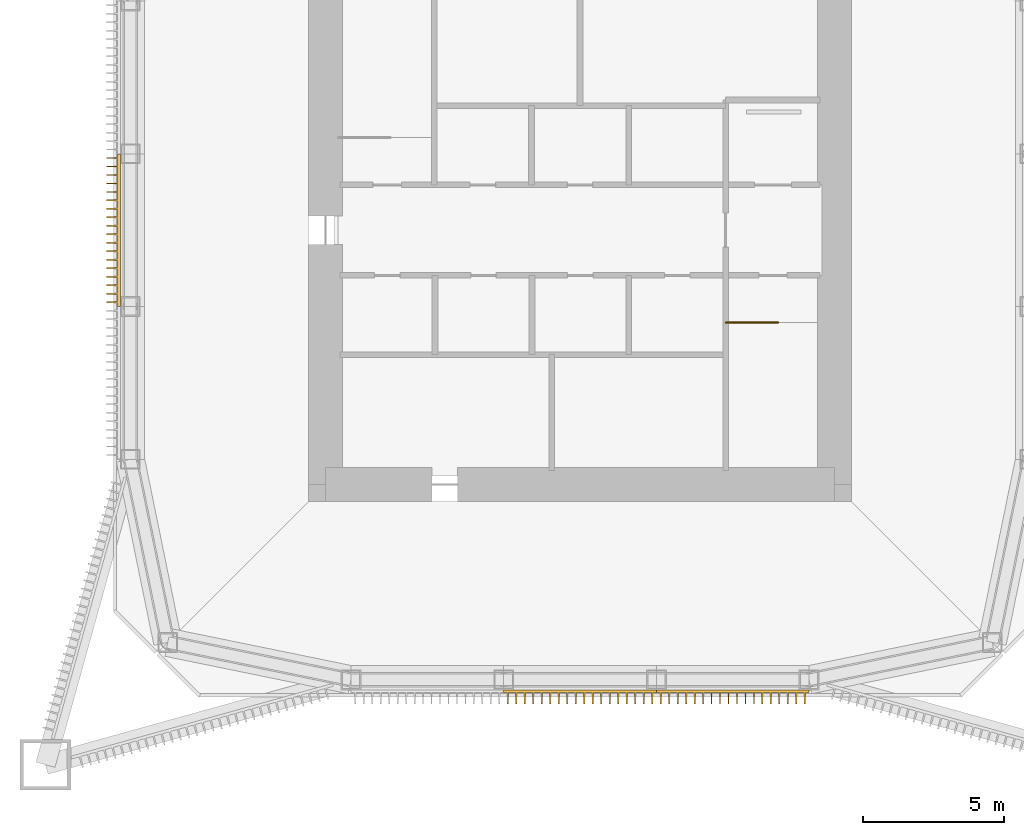
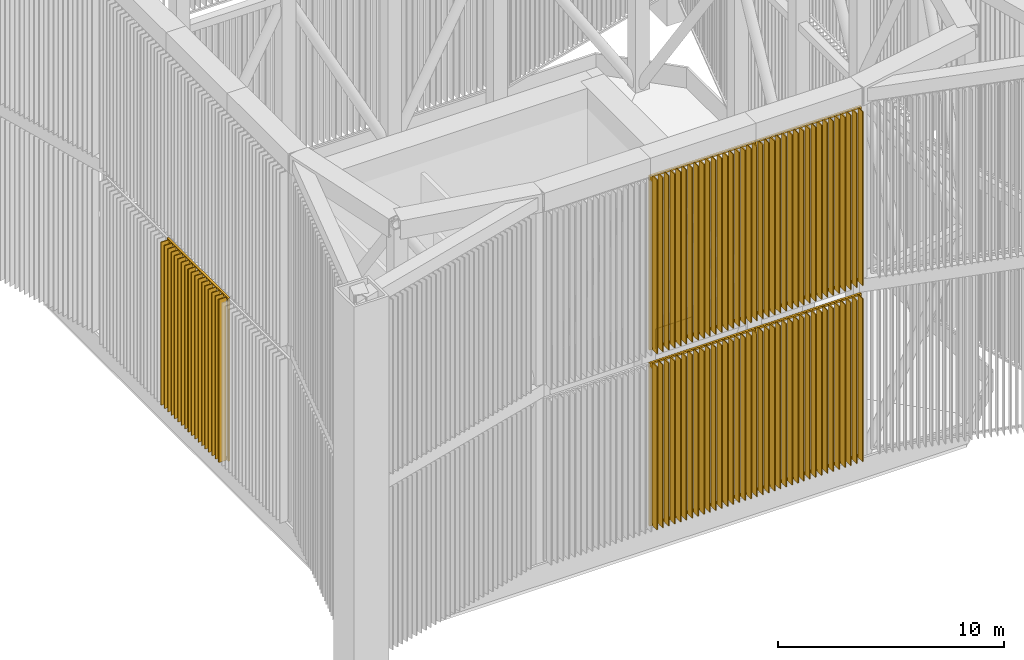
# One storey, part 6 of 13: 5 shading devices, 1 railing.
"""IFC4 building model written with IfcOpenShell, lengths in metres."""

from ifc_helpers import new_model, si_unit, direction, frame, origin, origin_2d, place, context, subcontext, project, spatial, rectangle, circle, extrude, material, layer, layer_set, constituent, constituent_set, type_object, element, save


model = new_model("IFC4")

# Units and contexts
model_context = context("Model", 3, precision=1e-05, world=origin(), true_north=direction((0.0, 1.0)))
body_context = subcontext(model_context, "Body", "Model", "MODEL_VIEW")
ifc_project = project(units=[si_unit("LENGTHUNIT", "METRE"), si_unit("AREAUNIT", "SQUARE_METRE"), si_unit("VOLUMEUNIT", "CUBIC_METRE"), si_unit("PLANEANGLEUNIT", "RADIAN"), si_unit("MASSUNIT", "GRAM", prefix="KILO")], contexts=[model_context])

# Site, building, storey
site_placement = place(None, origin())
site = spatial("IfcSite", under=ifc_project, at=site_placement, CompositionType="ELEMENT")
building_placement = place(site_placement, origin())
building = spatial("IfcBuilding", under=site, at=building_placement, Name="Iwan Alto Co-Living Towers", CompositionType="ELEMENT")
storey_placement = place(building_placement, frame((0.0, 0.0, 267.5)))
storey = spatial("IfcBuildingStorey", under=building, at=storey_placement, Name="RF", CompositionType="ELEMENT", Elevation=267.5)

# Shading devices
ifc_material_1 = material(Name="Aluminium 6063-T6 bronze anodised", Category="aluminium")
ifc_layer_1 = layer(ifc_material_1, 0.39990234375, Name="Fins", Category="Finish")
ifc_material_2 = material(Name="Steel ASTM A36 galvanised frame", Category="steel")
ifc_layer_2 = layer(ifc_material_2, 0.10009765625, Name="Panel frame", Category="Framing")
ifc_layer_set = layer_set([ifc_layer_1, ifc_layer_2], Name="CROWN FIN SCREEN PANEL")
shading_device_type = type_object("IfcShadingDeviceType", Name="CROWN FIN SCREEN PANEL", PredefinedType="USERDEFINED", material=ifc_layer_set)
shading_device_1_placement = place(storey_placement, frame((0.0, 0.0, -267.5)))
element("IfcShadingDevice", 1, at=shading_device_1_placement, inside=storey, type_object=shading_device_type, Name="T1 crown fin screen S-02 lower", ObjectType="LOUVER", PredefinedType="USERDEFINED", context=body_context, shape_type="SweptSolid", body=[
    extrude(rectangle(XDim=5.39990234375, YDim=0.10009765625, at=origin_2d()), frame((0.0, -16.300048828125, 268.599853515625), z_axis=(0.0, 0.0, 1.0), x_axis=(1.0, 0.0, 0.0)), (0.0, 0.0, 1.0), 0.10009765625),
    extrude(rectangle(XDim=5.39990234375, YDim=0.10009765625, at=origin_2d()), frame((0.0, -16.300048828125, 277.300048828125), z_axis=(0.0, 0.0, 1.0), x_axis=(1.0, 0.0, 0.0)), (0.0, 0.0, 1.0), 0.10009765625),
    extrude(rectangle(XDim=0.10009765625, YDim=0.10009765625, at=origin_2d()), frame((-2.64990234375, -16.300048828125, 268.69482421875), z_axis=(0.0, 0.0, 1.0), x_axis=(1.0, 0.0, 0.0)), (0.0, 0.0, 1.0), 8.610107421875),
    extrude(rectangle(XDim=0.10009765625, YDim=0.10009765625, at=origin_2d()), frame((2.64990234375, -16.300048828125, 268.69482421875), z_axis=(0.0, 0.0, 1.0), x_axis=(1.0, 0.0, 0.0)), (0.0, 0.0, 1.0), 8.610107421875),
    extrude(rectangle(XDim=0.050048828125, YDim=0.405029296875, at=origin_2d()), frame((-2.550048828125, -16.547607421875, 268.60009765625), z_axis=(0.0, 0.0, 1.0), x_axis=(1.0, 0.0, 0.0)), (0.0, 0.0, 1.0), 8.800048828125),
    extrude(rectangle(XDim=0.050048828125, YDim=0.405029296875, at=origin_2d()), frame((-2.25, -16.547607421875, 268.60009765625), z_axis=(0.0, 0.0, 1.0), x_axis=(1.0, 0.0, 0.0)), (0.0, 0.0, 1.0), 8.800048828125),
    extrude(rectangle(XDim=0.050048828125, YDim=0.405029296875, at=origin_2d()), frame((-1.949951171875, -16.547607421875, 268.60009765625), z_axis=(0.0, 0.0, 1.0), x_axis=(1.0, 0.0, 0.0)), (0.0, 0.0, 1.0), 8.800048828125),
    extrude(rectangle(XDim=0.050048828125, YDim=0.405029296875, at=origin_2d()), frame((-1.64990234375, -16.547607421875, 268.60009765625), z_axis=(0.0, 0.0, 1.0), x_axis=(1.0, 0.0, 0.0)), (0.0, 0.0, 1.0), 8.800048828125),
    extrude(rectangle(XDim=0.050048828125, YDim=0.405029296875, at=origin_2d()), frame((-1.35009765625, -16.547607421875, 268.60009765625), z_axis=(0.0, 0.0, 1.0), x_axis=(1.0, 0.0, 0.0)), (0.0, 0.0, 1.0), 8.800048828125),
    extrude(rectangle(XDim=0.050048828125, YDim=0.405029296875, at=origin_2d()), frame((-1.050048828125, -16.547607421875, 268.60009765625), z_axis=(0.0, 0.0, 1.0), x_axis=(1.0, 0.0, 0.0)), (0.0, 0.0, 1.0), 8.800048828125),
    extrude(rectangle(XDim=0.050048828125, YDim=0.405029296875, at=origin_2d()), frame((-0.75, -16.547607421875, 268.60009765625), z_axis=(0.0, 0.0, 1.0), x_axis=(1.0, 0.0, 0.0)), (0.0, 0.0, 1.0), 8.800048828125),
    extrude(rectangle(XDim=0.050048828125, YDim=0.405029296875, at=origin_2d()), frame((-0.449951171875, -16.547607421875, 268.60009765625), z_axis=(0.0, 0.0, 1.0), x_axis=(1.0, 0.0, 0.0)), (0.0, 0.0, 1.0), 8.800048828125),
    extrude(rectangle(XDim=0.050048828125, YDim=0.405029296875, at=origin_2d()), frame((-0.14990234375, -16.547607421875, 268.60009765625), z_axis=(0.0, 0.0, 1.0), x_axis=(1.0, 0.0, 0.0)), (0.0, 0.0, 1.0), 8.800048828125),
    extrude(rectangle(XDim=0.050048828125, YDim=0.405029296875, at=origin_2d()), frame((0.14990234375, -16.547607421875, 268.60009765625), z_axis=(0.0, 0.0, 1.0), x_axis=(1.0, 0.0, 0.0)), (0.0, 0.0, 1.0), 8.800048828125),
    extrude(rectangle(XDim=0.050048828125, YDim=0.405029296875, at=origin_2d()), frame((0.449951171875, -16.547607421875, 268.60009765625), z_axis=(0.0, 0.0, 1.0), x_axis=(1.0, 0.0, 0.0)), (0.0, 0.0, 1.0), 8.800048828125),
    extrude(rectangle(XDim=0.050048828125, YDim=0.405029296875, at=origin_2d()), frame((0.75, -16.547607421875, 268.60009765625), z_axis=(0.0, 0.0, 1.0), x_axis=(1.0, 0.0, 0.0)), (0.0, 0.0, 1.0), 8.800048828125),
    extrude(rectangle(XDim=0.050048828125, YDim=0.405029296875, at=origin_2d()), frame((1.050048828125, -16.547607421875, 268.60009765625), z_axis=(0.0, 0.0, 1.0), x_axis=(1.0, 0.0, 0.0)), (0.0, 0.0, 1.0), 8.800048828125),
    extrude(rectangle(XDim=0.050048828125, YDim=0.405029296875, at=origin_2d()), frame((1.35009765625, -16.547607421875, 268.60009765625), z_axis=(0.0, 0.0, 1.0), x_axis=(1.0, 0.0, 0.0)), (0.0, 0.0, 1.0), 8.800048828125),
    extrude(rectangle(XDim=0.050048828125, YDim=0.405029296875, at=origin_2d()), frame((1.64990234375, -16.547607421875, 268.60009765625), z_axis=(0.0, 0.0, 1.0), x_axis=(1.0, 0.0, 0.0)), (0.0, 0.0, 1.0), 8.800048828125),
    extrude(rectangle(XDim=0.050048828125, YDim=0.405029296875, at=origin_2d()), frame((1.949951171875, -16.547607421875, 268.60009765625), z_axis=(0.0, 0.0, 1.0), x_axis=(1.0, 0.0, 0.0)), (0.0, 0.0, 1.0), 8.800048828125),
    extrude(rectangle(XDim=0.050048828125, YDim=0.405029296875, at=origin_2d()), frame((2.25, -16.547607421875, 268.60009765625), z_axis=(0.0, 0.0, 1.0), x_axis=(1.0, 0.0, 0.0)), (0.0, 0.0, 1.0), 8.800048828125),
    extrude(rectangle(XDim=0.050048828125, YDim=0.405029296875, at=origin_2d()), frame((2.550048828125, -16.547607421875, 268.60009765625), z_axis=(0.0, 0.0, 1.0), x_axis=(1.0, 0.0, 0.0)), (0.0, 0.0, 1.0), 8.800048828125),
])
shading_device_2_placement = place(storey_placement, frame((0.0, 0.0, -267.5)))
element("IfcShadingDevice", 2, at=shading_device_2_placement, inside=storey, type_object=shading_device_type, Name="T1 crown fin screen S-02 upper", ObjectType="LOUVER", PredefinedType="USERDEFINED", context=body_context, shape_type="SweptSolid", body=[
    extrude(rectangle(XDim=5.39990234375, YDim=0.10009765625, at=origin_2d()), frame((0.0, -16.300048828125, 278.099853515625), z_axis=(0.0, 0.0, 1.0), x_axis=(1.0, 0.0, 0.0)), (0.0, 0.0, 1.0), 0.10009765625),
    extrude(rectangle(XDim=5.39990234375, YDim=0.10009765625, at=origin_2d()), frame((0.0, -16.300048828125, 287.39990234375), z_axis=(0.0, 0.0, 1.0), x_axis=(1.0, 0.0, 0.0)), (0.0, 0.0, 1.0), 0.10009765625),
    extrude(rectangle(XDim=0.10009765625, YDim=0.10009765625, at=origin_2d()), frame((-2.64990234375, -16.300048828125, 278.195068359375), z_axis=(0.0, 0.0, 1.0), x_axis=(1.0, 0.0, 0.0)), (0.0, 0.0, 1.0), 9.2099609375),
    extrude(rectangle(XDim=0.10009765625, YDim=0.10009765625, at=origin_2d()), frame((2.64990234375, -16.300048828125, 278.195068359375), z_axis=(0.0, 0.0, 1.0), x_axis=(1.0, 0.0, 0.0)), (0.0, 0.0, 1.0), 9.2099609375),
    extrude(rectangle(XDim=0.050048828125, YDim=0.405029296875, at=origin_2d()), frame((-2.550048828125, -16.547607421875, 278.10009765625), z_axis=(0.0, 0.0, 1.0), x_axis=(1.0, 0.0, 0.0)), (0.0, 0.0, 1.0), 9.39990234375),
    extrude(rectangle(XDim=0.050048828125, YDim=0.405029296875, at=origin_2d()), frame((-2.25, -16.547607421875, 278.10009765625), z_axis=(0.0, 0.0, 1.0), x_axis=(1.0, 0.0, 0.0)), (0.0, 0.0, 1.0), 9.39990234375),
    extrude(rectangle(XDim=0.050048828125, YDim=0.405029296875, at=origin_2d()), frame((-1.949951171875, -16.547607421875, 278.10009765625), z_axis=(0.0, 0.0, 1.0), x_axis=(1.0, 0.0, 0.0)), (0.0, 0.0, 1.0), 9.39990234375),
    extrude(rectangle(XDim=0.050048828125, YDim=0.405029296875, at=origin_2d()), frame((-1.64990234375, -16.547607421875, 278.10009765625), z_axis=(0.0, 0.0, 1.0), x_axis=(1.0, 0.0, 0.0)), (0.0, 0.0, 1.0), 9.39990234375),
    extrude(rectangle(XDim=0.050048828125, YDim=0.405029296875, at=origin_2d()), frame((-1.35009765625, -16.547607421875, 278.10009765625), z_axis=(0.0, 0.0, 1.0), x_axis=(1.0, 0.0, 0.0)), (0.0, 0.0, 1.0), 9.39990234375),
    extrude(rectangle(XDim=0.050048828125, YDim=0.405029296875, at=origin_2d()), frame((-1.050048828125, -16.547607421875, 278.10009765625), z_axis=(0.0, 0.0, 1.0), x_axis=(1.0, 0.0, 0.0)), (0.0, 0.0, 1.0), 9.39990234375),
    extrude(rectangle(XDim=0.050048828125, YDim=0.405029296875, at=origin_2d()), frame((-0.75, -16.547607421875, 278.10009765625), z_axis=(0.0, 0.0, 1.0), x_axis=(1.0, 0.0, 0.0)), (0.0, 0.0, 1.0), 9.39990234375),
    extrude(rectangle(XDim=0.050048828125, YDim=0.405029296875, at=origin_2d()), frame((-0.449951171875, -16.547607421875, 278.10009765625), z_axis=(0.0, 0.0, 1.0), x_axis=(1.0, 0.0, 0.0)), (0.0, 0.0, 1.0), 9.39990234375),
    extrude(rectangle(XDim=0.050048828125, YDim=0.405029296875, at=origin_2d()), frame((-0.14990234375, -16.547607421875, 278.10009765625), z_axis=(0.0, 0.0, 1.0), x_axis=(1.0, 0.0, 0.0)), (0.0, 0.0, 1.0), 9.39990234375),
    extrude(rectangle(XDim=0.050048828125, YDim=0.405029296875, at=origin_2d()), frame((0.14990234375, -16.547607421875, 278.10009765625), z_axis=(0.0, 0.0, 1.0), x_axis=(1.0, 0.0, 0.0)), (0.0, 0.0, 1.0), 9.39990234375),
    extrude(rectangle(XDim=0.050048828125, YDim=0.405029296875, at=origin_2d()), frame((0.449951171875, -16.547607421875, 278.10009765625), z_axis=(0.0, 0.0, 1.0), x_axis=(1.0, 0.0, 0.0)), (0.0, 0.0, 1.0), 9.39990234375),
    extrude(rectangle(XDim=0.050048828125, YDim=0.405029296875, at=origin_2d()), frame((0.75, -16.547607421875, 278.10009765625), z_axis=(0.0, 0.0, 1.0), x_axis=(1.0, 0.0, 0.0)), (0.0, 0.0, 1.0), 9.39990234375),
    extrude(rectangle(XDim=0.050048828125, YDim=0.405029296875, at=origin_2d()), frame((1.050048828125, -16.547607421875, 278.10009765625), z_axis=(0.0, 0.0, 1.0), x_axis=(1.0, 0.0, 0.0)), (0.0, 0.0, 1.0), 9.39990234375),
    extrude(rectangle(XDim=0.050048828125, YDim=0.405029296875, at=origin_2d()), frame((1.35009765625, -16.547607421875, 278.10009765625), z_axis=(0.0, 0.0, 1.0), x_axis=(1.0, 0.0, 0.0)), (0.0, 0.0, 1.0), 9.39990234375),
    extrude(rectangle(XDim=0.050048828125, YDim=0.405029296875, at=origin_2d()), frame((1.64990234375, -16.547607421875, 278.10009765625), z_axis=(0.0, 0.0, 1.0), x_axis=(1.0, 0.0, 0.0)), (0.0, 0.0, 1.0), 9.39990234375),
    extrude(rectangle(XDim=0.050048828125, YDim=0.405029296875, at=origin_2d()), frame((1.949951171875, -16.547607421875, 278.10009765625), z_axis=(0.0, 0.0, 1.0), x_axis=(1.0, 0.0, 0.0)), (0.0, 0.0, 1.0), 9.39990234375),
    extrude(rectangle(XDim=0.050048828125, YDim=0.405029296875, at=origin_2d()), frame((2.25, -16.547607421875, 278.10009765625), z_axis=(0.0, 0.0, 1.0), x_axis=(1.0, 0.0, 0.0)), (0.0, 0.0, 1.0), 9.39990234375),
    extrude(rectangle(XDim=0.050048828125, YDim=0.405029296875, at=origin_2d()), frame((2.550048828125, -16.547607421875, 278.10009765625), z_axis=(0.0, 0.0, 1.0), x_axis=(1.0, 0.0, 0.0)), (0.0, 0.0, 1.0), 9.39990234375),
])
shading_device_3_placement = place(storey_placement, frame((0.0, 0.0, -267.5)))
element("IfcShadingDevice", 3, at=shading_device_3_placement, inside=storey, type_object=shading_device_type, Name="T1 crown fin screen S-03 lower", ObjectType="LOUVER", PredefinedType="USERDEFINED", context=body_context, shape_type="SweptSolid", body=[
    extrude(rectangle(XDim=5.39990234375, YDim=0.10009765625, at=origin_2d()), frame((5.39990234375, -16.300048828125, 268.599853515625), z_axis=(0.0, 0.0, 1.0), x_axis=(1.0, 0.0, 0.0)), (0.0, 0.0, 1.0), 0.10009765625),
    extrude(rectangle(XDim=5.39990234375, YDim=0.10009765625, at=origin_2d()), frame((5.39990234375, -16.300048828125, 277.300048828125), z_axis=(0.0, 0.0, 1.0), x_axis=(1.0, 0.0, 0.0)), (0.0, 0.0, 1.0), 0.10009765625),
    extrude(rectangle(XDim=0.10009765625, YDim=0.10009765625, at=origin_2d()), frame((2.75, -16.300048828125, 268.69482421875), z_axis=(0.0, 0.0, 1.0), x_axis=(1.0, 0.0, 0.0)), (0.0, 0.0, 1.0), 8.610107421875),
    extrude(rectangle(XDim=0.10009765625, YDim=0.10009765625, at=origin_2d()), frame((8.050048828125, -16.300048828125, 268.69482421875), z_axis=(0.0, 0.0, 1.0), x_axis=(1.0, 0.0, 0.0)), (0.0, 0.0, 1.0), 8.610107421875),
    extrude(rectangle(XDim=0.050048828125, YDim=0.405029296875, at=origin_2d()), frame((2.85009765625, -16.547607421875, 268.60009765625), z_axis=(0.0, 0.0, 1.0), x_axis=(1.0, 0.0, 0.0)), (0.0, 0.0, 1.0), 8.800048828125),
    extrude(rectangle(XDim=0.050048828125, YDim=0.405029296875, at=origin_2d()), frame((3.14990234375, -16.547607421875, 268.60009765625), z_axis=(0.0, 0.0, 1.0), x_axis=(1.0, 0.0, 0.0)), (0.0, 0.0, 1.0), 8.800048828125),
    extrude(rectangle(XDim=0.050048828125, YDim=0.405029296875, at=origin_2d()), frame((3.449951171875, -16.547607421875, 268.60009765625), z_axis=(0.0, 0.0, 1.0), x_axis=(1.0, 0.0, 0.0)), (0.0, 0.0, 1.0), 8.800048828125),
    extrude(rectangle(XDim=0.050048828125, YDim=0.405029296875, at=origin_2d()), frame((3.75, -16.547607421875, 268.60009765625), z_axis=(0.0, 0.0, 1.0), x_axis=(1.0, 0.0, 0.0)), (0.0, 0.0, 1.0), 8.800048828125),
    extrude(rectangle(XDim=0.050048828125, YDim=0.405029296875, at=origin_2d()), frame((4.050048828125, -16.547607421875, 268.60009765625), z_axis=(0.0, 0.0, 1.0), x_axis=(1.0, 0.0, 0.0)), (0.0, 0.0, 1.0), 8.800048828125),
    extrude(rectangle(XDim=0.050048828125, YDim=0.405029296875, at=origin_2d()), frame((4.35009765625, -16.547607421875, 268.60009765625), z_axis=(0.0, 0.0, 1.0), x_axis=(1.0, 0.0, 0.0)), (0.0, 0.0, 1.0), 8.800048828125),
    extrude(rectangle(XDim=0.050048828125, YDim=0.405029296875, at=origin_2d()), frame((4.64990234375, -16.547607421875, 268.60009765625), z_axis=(0.0, 0.0, 1.0), x_axis=(1.0, 0.0, 0.0)), (0.0, 0.0, 1.0), 8.800048828125),
    extrude(rectangle(XDim=0.050048828125, YDim=0.405029296875, at=origin_2d()), frame((4.949951171875, -16.547607421875, 268.60009765625), z_axis=(0.0, 0.0, 1.0), x_axis=(1.0, 0.0, 0.0)), (0.0, 0.0, 1.0), 8.800048828125),
    extrude(rectangle(XDim=0.050048828125, YDim=0.405029296875, at=origin_2d()), frame((5.25, -16.547607421875, 268.60009765625), z_axis=(0.0, 0.0, 1.0), x_axis=(1.0, 0.0, 0.0)), (0.0, 0.0, 1.0), 8.800048828125),
    extrude(rectangle(XDim=0.050048828125, YDim=0.405029296875, at=origin_2d()), frame((5.550048828125, -16.547607421875, 268.60009765625), z_axis=(0.0, 0.0, 1.0), x_axis=(1.0, 0.0, 0.0)), (0.0, 0.0, 1.0), 8.800048828125),
    extrude(rectangle(XDim=0.050048828125, YDim=0.405029296875, at=origin_2d()), frame((5.85009765625, -16.547607421875, 268.60009765625), z_axis=(0.0, 0.0, 1.0), x_axis=(1.0, 0.0, 0.0)), (0.0, 0.0, 1.0), 8.800048828125),
    extrude(rectangle(XDim=0.050048828125, YDim=0.405029296875, at=origin_2d()), frame((6.14990234375, -16.547607421875, 268.60009765625), z_axis=(0.0, 0.0, 1.0), x_axis=(1.0, 0.0, 0.0)), (0.0, 0.0, 1.0), 8.800048828125),
    extrude(rectangle(XDim=0.050048828125, YDim=0.405029296875, at=origin_2d()), frame((6.449951171875, -16.547607421875, 268.60009765625), z_axis=(0.0, 0.0, 1.0), x_axis=(1.0, 0.0, 0.0)), (0.0, 0.0, 1.0), 8.800048828125),
    extrude(rectangle(XDim=0.050048828125, YDim=0.405029296875, at=origin_2d()), frame((6.75, -16.547607421875, 268.60009765625), z_axis=(0.0, 0.0, 1.0), x_axis=(1.0, 0.0, 0.0)), (0.0, 0.0, 1.0), 8.800048828125),
    extrude(rectangle(XDim=0.050048828125, YDim=0.405029296875, at=origin_2d()), frame((7.050048828125, -16.547607421875, 268.60009765625), z_axis=(0.0, 0.0, 1.0), x_axis=(1.0, 0.0, 0.0)), (0.0, 0.0, 1.0), 8.800048828125),
    extrude(rectangle(XDim=0.050048828125, YDim=0.405029296875, at=origin_2d()), frame((7.35009765625, -16.547607421875, 268.60009765625), z_axis=(0.0, 0.0, 1.0), x_axis=(1.0, 0.0, 0.0)), (0.0, 0.0, 1.0), 8.800048828125),
    extrude(rectangle(XDim=0.050048828125, YDim=0.405029296875, at=origin_2d()), frame((7.64990234375, -16.547607421875, 268.60009765625), z_axis=(0.0, 0.0, 1.0), x_axis=(1.0, 0.0, 0.0)), (0.0, 0.0, 1.0), 8.800048828125),
    extrude(rectangle(XDim=0.050048828125, YDim=0.405029296875, at=origin_2d()), frame((7.949951171875, -16.547607421875, 268.60009765625), z_axis=(0.0, 0.0, 1.0), x_axis=(1.0, 0.0, 0.0)), (0.0, 0.0, 1.0), 8.800048828125),
])
shading_device_4_placement = place(storey_placement, frame((0.0, 0.0, -267.5)))
element("IfcShadingDevice", 4, at=shading_device_4_placement, inside=storey, type_object=shading_device_type, Name="T1 crown fin screen S-03 upper", ObjectType="LOUVER", PredefinedType="USERDEFINED", context=body_context, shape_type="SweptSolid", body=[
    extrude(rectangle(XDim=5.39990234375, YDim=0.10009765625, at=origin_2d()), frame((5.39990234375, -16.300048828125, 278.099853515625), z_axis=(0.0, 0.0, 1.0), x_axis=(1.0, 0.0, 0.0)), (0.0, 0.0, 1.0), 0.10009765625),
    extrude(rectangle(XDim=5.39990234375, YDim=0.10009765625, at=origin_2d()), frame((5.39990234375, -16.300048828125, 287.39990234375), z_axis=(0.0, 0.0, 1.0), x_axis=(1.0, 0.0, 0.0)), (0.0, 0.0, 1.0), 0.10009765625),
    extrude(rectangle(XDim=0.10009765625, YDim=0.10009765625, at=origin_2d()), frame((2.75, -16.300048828125, 278.195068359375), z_axis=(0.0, 0.0, 1.0), x_axis=(1.0, 0.0, 0.0)), (0.0, 0.0, 1.0), 9.2099609375),
    extrude(rectangle(XDim=0.10009765625, YDim=0.10009765625, at=origin_2d()), frame((8.050048828125, -16.300048828125, 278.195068359375), z_axis=(0.0, 0.0, 1.0), x_axis=(1.0, 0.0, 0.0)), (0.0, 0.0, 1.0), 9.2099609375),
    extrude(rectangle(XDim=0.050048828125, YDim=0.405029296875, at=origin_2d()), frame((2.85009765625, -16.547607421875, 278.10009765625), z_axis=(0.0, 0.0, 1.0), x_axis=(1.0, 0.0, 0.0)), (0.0, 0.0, 1.0), 9.39990234375),
    extrude(rectangle(XDim=0.050048828125, YDim=0.405029296875, at=origin_2d()), frame((3.14990234375, -16.547607421875, 278.10009765625), z_axis=(0.0, 0.0, 1.0), x_axis=(1.0, 0.0, 0.0)), (0.0, 0.0, 1.0), 9.39990234375),
    extrude(rectangle(XDim=0.050048828125, YDim=0.405029296875, at=origin_2d()), frame((3.449951171875, -16.547607421875, 278.10009765625), z_axis=(0.0, 0.0, 1.0), x_axis=(1.0, 0.0, 0.0)), (0.0, 0.0, 1.0), 9.39990234375),
    extrude(rectangle(XDim=0.050048828125, YDim=0.405029296875, at=origin_2d()), frame((3.75, -16.547607421875, 278.10009765625), z_axis=(0.0, 0.0, 1.0), x_axis=(1.0, 0.0, 0.0)), (0.0, 0.0, 1.0), 9.39990234375),
    extrude(rectangle(XDim=0.050048828125, YDim=0.405029296875, at=origin_2d()), frame((4.050048828125, -16.547607421875, 278.10009765625), z_axis=(0.0, 0.0, 1.0), x_axis=(1.0, 0.0, 0.0)), (0.0, 0.0, 1.0), 9.39990234375),
    extrude(rectangle(XDim=0.050048828125, YDim=0.405029296875, at=origin_2d()), frame((4.35009765625, -16.547607421875, 278.10009765625), z_axis=(0.0, 0.0, 1.0), x_axis=(1.0, 0.0, 0.0)), (0.0, 0.0, 1.0), 9.39990234375),
    extrude(rectangle(XDim=0.050048828125, YDim=0.405029296875, at=origin_2d()), frame((4.64990234375, -16.547607421875, 278.10009765625), z_axis=(0.0, 0.0, 1.0), x_axis=(1.0, 0.0, 0.0)), (0.0, 0.0, 1.0), 9.39990234375),
    extrude(rectangle(XDim=0.050048828125, YDim=0.405029296875, at=origin_2d()), frame((4.949951171875, -16.547607421875, 278.10009765625), z_axis=(0.0, 0.0, 1.0), x_axis=(1.0, 0.0, 0.0)), (0.0, 0.0, 1.0), 9.39990234375),
    extrude(rectangle(XDim=0.050048828125, YDim=0.405029296875, at=origin_2d()), frame((5.25, -16.547607421875, 278.10009765625), z_axis=(0.0, 0.0, 1.0), x_axis=(1.0, 0.0, 0.0)), (0.0, 0.0, 1.0), 9.39990234375),
    extrude(rectangle(XDim=0.050048828125, YDim=0.405029296875, at=origin_2d()), frame((5.550048828125, -16.547607421875, 278.10009765625), z_axis=(0.0, 0.0, 1.0), x_axis=(1.0, 0.0, 0.0)), (0.0, 0.0, 1.0), 9.39990234375),
    extrude(rectangle(XDim=0.050048828125, YDim=0.405029296875, at=origin_2d()), frame((5.85009765625, -16.547607421875, 278.10009765625), z_axis=(0.0, 0.0, 1.0), x_axis=(1.0, 0.0, 0.0)), (0.0, 0.0, 1.0), 9.39990234375),
    extrude(rectangle(XDim=0.050048828125, YDim=0.405029296875, at=origin_2d()), frame((6.14990234375, -16.547607421875, 278.10009765625), z_axis=(0.0, 0.0, 1.0), x_axis=(1.0, 0.0, 0.0)), (0.0, 0.0, 1.0), 9.39990234375),
    extrude(rectangle(XDim=0.050048828125, YDim=0.405029296875, at=origin_2d()), frame((6.449951171875, -16.547607421875, 278.10009765625), z_axis=(0.0, 0.0, 1.0), x_axis=(1.0, 0.0, 0.0)), (0.0, 0.0, 1.0), 9.39990234375),
    extrude(rectangle(XDim=0.050048828125, YDim=0.405029296875, at=origin_2d()), frame((6.75, -16.547607421875, 278.10009765625), z_axis=(0.0, 0.0, 1.0), x_axis=(1.0, 0.0, 0.0)), (0.0, 0.0, 1.0), 9.39990234375),
    extrude(rectangle(XDim=0.050048828125, YDim=0.405029296875, at=origin_2d()), frame((7.050048828125, -16.547607421875, 278.10009765625), z_axis=(0.0, 0.0, 1.0), x_axis=(1.0, 0.0, 0.0)), (0.0, 0.0, 1.0), 9.39990234375),
    extrude(rectangle(XDim=0.050048828125, YDim=0.405029296875, at=origin_2d()), frame((7.35009765625, -16.547607421875, 278.10009765625), z_axis=(0.0, 0.0, 1.0), x_axis=(1.0, 0.0, 0.0)), (0.0, 0.0, 1.0), 9.39990234375),
    extrude(rectangle(XDim=0.050048828125, YDim=0.405029296875, at=origin_2d()), frame((7.64990234375, -16.547607421875, 278.10009765625), z_axis=(0.0, 0.0, 1.0), x_axis=(1.0, 0.0, 0.0)), (0.0, 0.0, 1.0), 9.39990234375),
    extrude(rectangle(XDim=0.050048828125, YDim=0.405029296875, at=origin_2d()), frame((7.949951171875, -16.547607421875, 278.10009765625), z_axis=(0.0, 0.0, 1.0), x_axis=(1.0, 0.0, 0.0)), (0.0, 0.0, 1.0), 9.39990234375),
])
shading_device_5_placement = place(storey_placement, frame((0.0, 0.0, -267.5)))
element("IfcShadingDevice", 5, at=shading_device_5_placement, inside=storey, type_object=shading_device_type, Name="T1 crown fin screen W-02 lower", ObjectType="LOUVER", PredefinedType="USERDEFINED", context=body_context, shape_type="SweptSolid", body=[
    extrude(rectangle(XDim=5.39990234375, YDim=0.10009765625, at=origin_2d()), frame((-16.300048828125, 0.0, 268.599853515625), z_axis=(0.0, 0.0, 1.0), x_axis=(0.0, -1.0, 0.0)), (0.0, 0.0, 1.0), 0.10009765625),
    extrude(rectangle(XDim=5.39990234375, YDim=0.10009765625, at=origin_2d()), frame((-16.300048828125, 0.0, 277.300048828125), z_axis=(0.0, 0.0, 1.0), x_axis=(0.0, -1.0, 0.0)), (0.0, 0.0, 1.0), 0.10009765625),
    extrude(rectangle(XDim=0.10009765625, YDim=0.10009765625, at=origin_2d()), frame((-16.300048828125, 2.64990234375, 268.69482421875), z_axis=(0.0, 0.0, 1.0), x_axis=(0.0, -1.0, 0.0)), (0.0, 0.0, 1.0), 8.610107421875),
    extrude(rectangle(XDim=0.10009765625, YDim=0.10009765625, at=origin_2d()), frame((-16.300048828125, -2.64990234375, 268.69482421875), z_axis=(0.0, 0.0, 1.0), x_axis=(0.0, -1.0, 0.0)), (0.0, 0.0, 1.0), 8.610107421875),
    extrude(rectangle(XDim=0.050048828125, YDim=0.405029296875, at=origin_2d()), frame((-16.547607421875, 2.550048828125, 268.60009765625), z_axis=(0.0, 0.0, 1.0), x_axis=(0.0, -1.0, 0.0)), (0.0, 0.0, 1.0), 8.800048828125),
    extrude(rectangle(XDim=0.050048828125, YDim=0.405029296875, at=origin_2d()), frame((-16.547607421875, 2.25, 268.60009765625), z_axis=(0.0, 0.0, 1.0), x_axis=(0.0, -1.0, 0.0)), (0.0, 0.0, 1.0), 8.800048828125),
    extrude(rectangle(XDim=0.050048828125, YDim=0.405029296875, at=origin_2d()), frame((-16.547607421875, 1.949951171875, 268.60009765625), z_axis=(0.0, 0.0, 1.0), x_axis=(0.0, -1.0, 0.0)), (0.0, 0.0, 1.0), 8.800048828125),
    extrude(rectangle(XDim=0.050048828125, YDim=0.405029296875, at=origin_2d()), frame((-16.547607421875, 1.64990234375, 268.60009765625), z_axis=(0.0, 0.0, 1.0), x_axis=(0.0, -1.0, 0.0)), (0.0, 0.0, 1.0), 8.800048828125),
    extrude(rectangle(XDim=0.050048828125, YDim=0.405029296875, at=origin_2d()), frame((-16.547607421875, 1.35009765625, 268.60009765625), z_axis=(0.0, 0.0, 1.0), x_axis=(0.0, -1.0, 0.0)), (0.0, 0.0, 1.0), 8.800048828125),
    extrude(rectangle(XDim=0.050048828125, YDim=0.405029296875, at=origin_2d()), frame((-16.547607421875, 1.050048828125, 268.60009765625), z_axis=(0.0, 0.0, 1.0), x_axis=(0.0, -1.0, 0.0)), (0.0, 0.0, 1.0), 8.800048828125),
    extrude(rectangle(XDim=0.050048828125, YDim=0.405029296875, at=origin_2d()), frame((-16.547607421875, 0.75, 268.60009765625), z_axis=(0.0, 0.0, 1.0), x_axis=(0.0, -1.0, 0.0)), (0.0, 0.0, 1.0), 8.800048828125),
    extrude(rectangle(XDim=0.050048828125, YDim=0.405029296875, at=origin_2d()), frame((-16.547607421875, 0.449951171875, 268.60009765625), z_axis=(0.0, 0.0, 1.0), x_axis=(0.0, -1.0, 0.0)), (0.0, 0.0, 1.0), 8.800048828125),
    extrude(rectangle(XDim=0.050048828125, YDim=0.405029296875, at=origin_2d()), frame((-16.547607421875, 0.14990234375, 268.60009765625), z_axis=(0.0, 0.0, 1.0), x_axis=(0.0, -1.0, 0.0)), (0.0, 0.0, 1.0), 8.800048828125),
    extrude(rectangle(XDim=0.050048828125, YDim=0.405029296875, at=origin_2d()), frame((-16.547607421875, -0.14990234375, 268.60009765625), z_axis=(0.0, 0.0, 1.0), x_axis=(0.0, -1.0, 0.0)), (0.0, 0.0, 1.0), 8.800048828125),
    extrude(rectangle(XDim=0.050048828125, YDim=0.405029296875, at=origin_2d()), frame((-16.547607421875, -0.449951171875, 268.60009765625), z_axis=(0.0, 0.0, 1.0), x_axis=(0.0, -1.0, 0.0)), (0.0, 0.0, 1.0), 8.800048828125),
    extrude(rectangle(XDim=0.050048828125, YDim=0.405029296875, at=origin_2d()), frame((-16.547607421875, -0.75, 268.60009765625), z_axis=(0.0, 0.0, 1.0), x_axis=(0.0, -1.0, 0.0)), (0.0, 0.0, 1.0), 8.800048828125),
    extrude(rectangle(XDim=0.050048828125, YDim=0.405029296875, at=origin_2d()), frame((-16.547607421875, -1.050048828125, 268.60009765625), z_axis=(0.0, 0.0, 1.0), x_axis=(0.0, -1.0, 0.0)), (0.0, 0.0, 1.0), 8.800048828125),
    extrude(rectangle(XDim=0.050048828125, YDim=0.405029296875, at=origin_2d()), frame((-16.547607421875, -1.35009765625, 268.60009765625), z_axis=(0.0, 0.0, 1.0), x_axis=(0.0, -1.0, 0.0)), (0.0, 0.0, 1.0), 8.800048828125),
    extrude(rectangle(XDim=0.050048828125, YDim=0.405029296875, at=origin_2d()), frame((-16.547607421875, -1.64990234375, 268.60009765625), z_axis=(0.0, 0.0, 1.0), x_axis=(0.0, -1.0, 0.0)), (0.0, 0.0, 1.0), 8.800048828125),
    extrude(rectangle(XDim=0.050048828125, YDim=0.405029296875, at=origin_2d()), frame((-16.547607421875, -1.949951171875, 268.60009765625), z_axis=(0.0, 0.0, 1.0), x_axis=(0.0, -1.0, 0.0)), (0.0, 0.0, 1.0), 8.800048828125),
    extrude(rectangle(XDim=0.050048828125, YDim=0.405029296875, at=origin_2d()), frame((-16.547607421875, -2.25, 268.60009765625), z_axis=(0.0, 0.0, 1.0), x_axis=(0.0, -1.0, 0.0)), (0.0, 0.0, 1.0), 8.800048828125),
    extrude(rectangle(XDim=0.050048828125, YDim=0.405029296875, at=origin_2d()), frame((-16.547607421875, -2.550048828125, 268.60009765625), z_axis=(0.0, 0.0, 1.0), x_axis=(0.0, -1.0, 0.0)), (0.0, 0.0, 1.0), 8.800048828125),
])

# Railing
ifc_material_3 = material(Name="Steel ASTM A500 Gr C", Category="steel")
ifc_constituent_1 = constituent(ifc_material_3, Name="Rails and posts", Category="Framing")
ifc_material_4 = material(Name="Steel ASTM A36", Category="steel")
ifc_constituent_2 = constituent(ifc_material_4, Name="Bar infill", Category="Infill")
ifc_constituent_set = constituent_set(constituents=[ifc_constituent_1, ifc_constituent_2], Name="STAIR GUARD 1100")
railing_type = type_object("IfcRailingType", Name="STAIR GUARD 1100", PredefinedType="GUARDRAIL", material=ifc_constituent_set)
railing_placement = place(storey_placement, frame((5.14990234375, -3.27001953125, 0.0)))
element("IfcRailing", 6, at=railing_placement, inside=storey, type_object=railing_type, Name="Stair T1-S2 well guard RF", PredefinedType="GUARDRAIL", context=body_context, shape_type="SweptSolid", body=[
    extrude(circle(Radius=0.02392578125, at=origin_2d()), frame((0.0, 0.0, 1.076171875), z_axis=(1.0, 0.0, 0.0), x_axis=(0.0, 1.0, 0.0)), (0.0, 0.0, 1.0), 1.85009765625),
    extrude(circle(Radius=0.02099609375, at=origin_2d()), origin(), (0.0, 0.0, 1.0), 1.052001953125),
    extrude(circle(Radius=0.02099609375, at=origin_2d()), frame((0.925048828125, 0.0, 0.0)), (0.0, 0.0, 1.0), 1.052001953125),
    extrude(circle(Radius=0.02099609375, at=origin_2d()), frame((1.85009765625, 0.0, 0.0)), (0.0, 0.0, 1.0), 1.052001953125),
])

save(model, "model.ifc")
